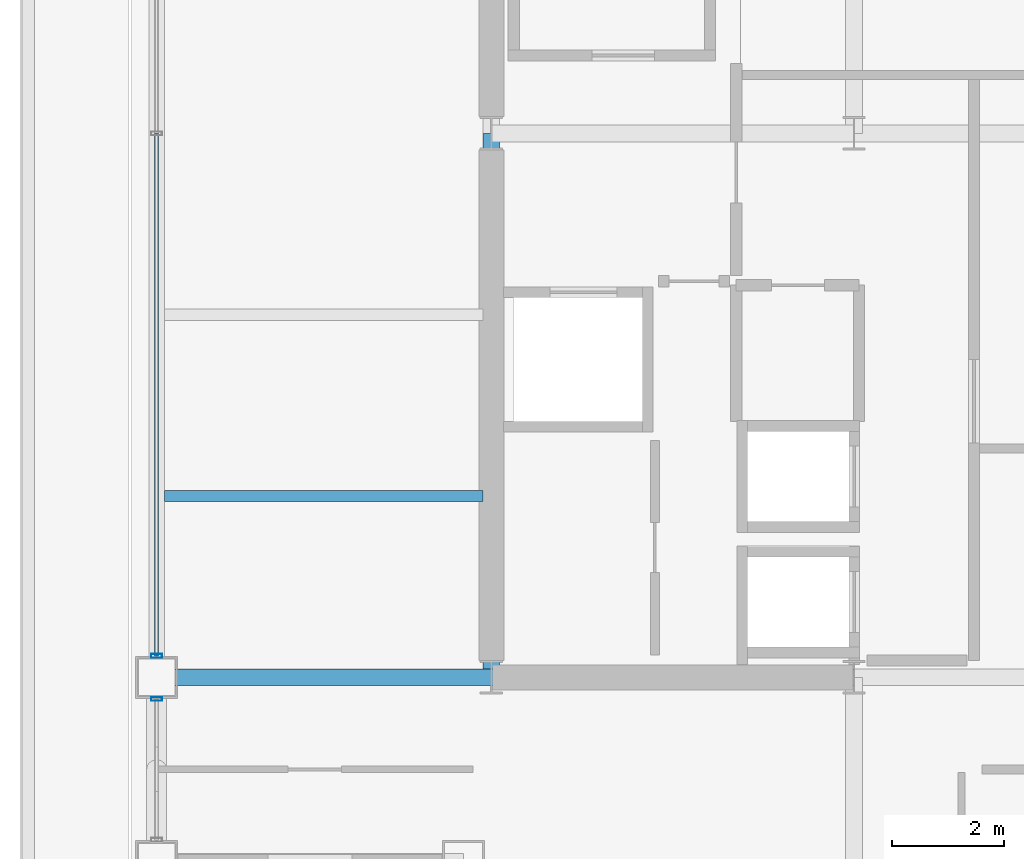
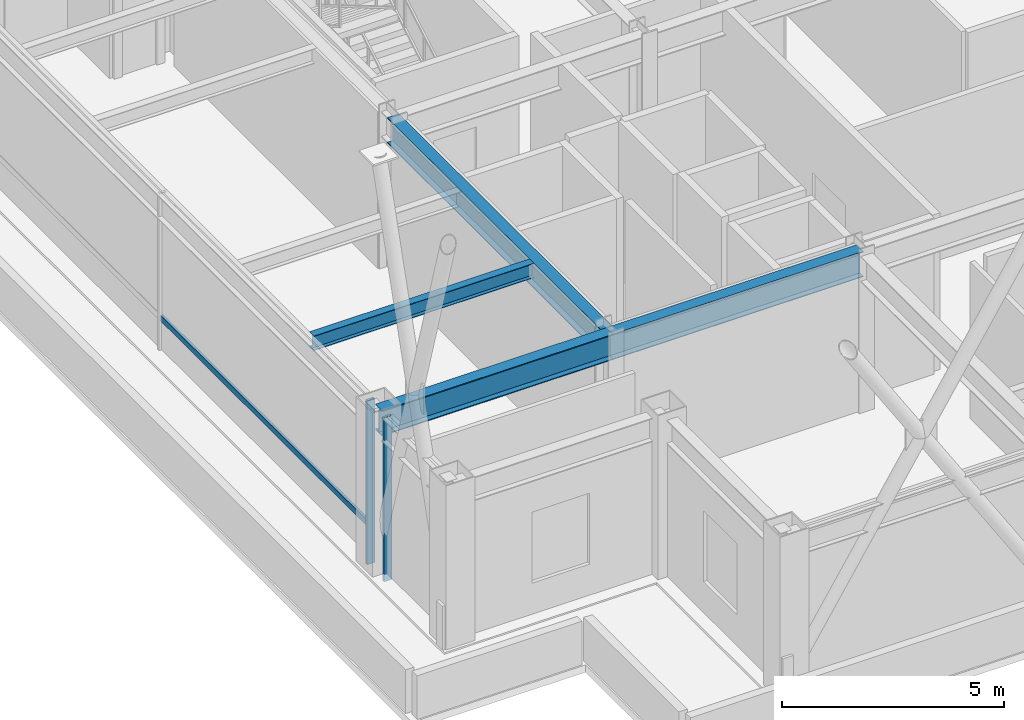
# One storey, part 4 of 24: 4 beams, 3 members, 2 elements without a shape of their own.
"""IFC4 building model written with IfcOpenShell, lengths in metres."""

from ifc_helpers import new_model, si_unit, direction, frame, origin, origin_2d, place, context, subcontext, project, spatial, hollow_rectangle, i_section, extrude, material, layer, layer_set, material_profile, profile_set, type_object, element, aggregate, save


model = new_model("IFC4")

# Units and contexts
model_context = context("Model", 3, precision=1e-05, world=origin(), true_north=direction((0.0, 1.0)))
body_context = subcontext(model_context, "Body", "Model", "MODEL_VIEW")
ifc_project = project(units=[si_unit("LENGTHUNIT", "METRE"), si_unit("AREAUNIT", "SQUARE_METRE"), si_unit("VOLUMEUNIT", "CUBIC_METRE"), si_unit("PLANEANGLEUNIT", "RADIAN"), si_unit("MASSUNIT", "GRAM", prefix="KILO")], contexts=[model_context])

# Site, building, storey
site_placement = place(None, origin())
site = spatial("IfcSite", under=ifc_project, at=site_placement, CompositionType="ELEMENT")
building_placement = place(site_placement, origin())
building = spatial("IfcBuilding", under=site, at=building_placement, Name="Brelmoor Portico Tower", CompositionType="ELEMENT")
storey_placement = place(building_placement, frame((0.0, 0.0, 150.60009765625)))
storey = spatial("IfcBuildingStorey", under=building, at=storey_placement, Name="L39", CompositionType="ELEMENT", Elevation=150.60009765625)

# Beams
ifc_material_1 = material(Name="Steel Q355B", Category="steel")
ifc_material_profile_1 = material_profile(ifc_material_1, i_section(OverallWidth=0.199951171875, OverallDepth=0.39990234375, WebThickness=0.008056640625, FlangeThickness=0.012939453125, at=origin_2d()), Name="HN 400x200x8x13")
ifc_profile_set_1 = profile_set([ifc_material_profile_1], Name="Steel Q355B")
beam_type_1 = type_object("IfcBeamType", Name="BM-JS-400", PredefinedType="JOIST", material=ifc_profile_set_1)
beam_1_placement = place(storey_placement, frame((-20.409912109375, -6.5, 4.099853515625), z_axis=(1.0, 0.0, 0.0), x_axis=(0.0, 1.0, 0.0)))
element("IfcBeam", 1, at=beam_1_placement, inside=storey, type_object=beam_type_1, Name="L39 Secondary Wing Joist JS-W03", PredefinedType="JOIST", context=body_context, shape_type="SweptSolid", body=[
    extrude(i_section(OverallWidth=0.199951171875, OverallDepth=0.39990234375, WebThickness=0.008056640625, FlangeThickness=0.012939453125, at=origin_2d()), origin(), (0.0, 0.0, 1.0), 5.7099609375),
])
ifc_material_profile_2 = material_profile(ifc_material_1, i_section(OverallWidth=0.300048828125, OverallDepth=0.699951171875, WebThickness=0.012939453125, FlangeThickness=0.02392578125, at=origin_2d()), Name="HN 700x300x13x24")
ifc_profile_set_2 = profile_set([ifc_material_profile_2], Name="Steel Q355B")
beam_type_2 = type_object("IfcBeamType", Name="BM-PG-700", PredefinedType="BEAM", material=ifc_profile_set_2)
beam_2_placement = place(storey_placement, frame((-14.550048828125, -9.75, 3.949951171875), z_axis=(0.0, 1.0, 0.0), x_axis=(-1.0, 0.0, 0.0)))
element("IfcBeam", 2, at=beam_2_placement, inside=storey, type_object=beam_type_2, Name="L39 Primary Floor Girder PG-01", PredefinedType="BEAM", context=body_context, shape_type="SweptSolid", body=[
    extrude(i_section(OverallWidth=0.300048828125, OverallDepth=0.699951171875, WebThickness=0.012939453125, FlangeThickness=0.02392578125, at=origin_2d()), origin(), (0.0, 0.0, 1.0), 9.75),
])
beam_3_placement = place(storey_placement, frame((-20.550048828125, -9.75, 3.949951171875), z_axis=(1.0, 0.0, 0.0), x_axis=(0.0, 1.0, 0.0)))
element("IfcBeam", 3, at=beam_3_placement, inside=storey, type_object=beam_type_2, Name="L39 Primary Floor Girder PG-10", PredefinedType="BEAM", context=body_context, shape_type="SweptSolid", body=[
    extrude(i_section(OverallWidth=0.300048828125, OverallDepth=0.699951171875, WebThickness=0.012939453125, FlangeThickness=0.02392578125, at=origin_2d()), origin(), (0.0, 0.0, 1.0), 6.0),
])
beam_4_placement = place(storey_placement, frame((-14.550048828125, -9.75, 3.949951171875), z_axis=(1.0, 0.0, 0.0), x_axis=(0.0, 1.0, 0.0)))
element("IfcBeam", 4, at=beam_4_placement, inside=storey, type_object=beam_type_2, Name="L39 Primary Floor Girder PG-11", PredefinedType="BEAM", context=body_context, shape_type="SweptSolid", body=[
    extrude(i_section(OverallWidth=0.300048828125, OverallDepth=0.699951171875, WebThickness=0.012939453125, FlangeThickness=0.02392578125, at=origin_2d()), origin(), (0.0, 0.0, 1.0), 6.5),
])

# Curtain wall, member
ifc_material_2 = material(Name="Anodised Aluminium Alloy 6063-T6", Category="aluminium")
ifc_layer_1 = layer(ifc_material_2, 0.179931640625)
ifc_layer_set_1 = layer_set([ifc_layer_1], Name="Anodised Aluminium Alloy 6063-T6")
curtain_wall_type_1 = type_object("IfcCurtainWallType", Name="CW-SKYLOBBY-XB", PredefinedType="NOTDEFINED", material=ifc_layer_set_1)
curtain_wall_1_placement = place(storey_placement, origin())
curtain_wall_1 = element("IfcCurtainWall", 5, at=curtain_wall_1_placement, inside=storey, type_object=curtain_wall_type_1, Name="L39 Curtain Wall CW-L39-03-1", PredefinedType="NOTDEFINED")
ifc_material_profile_3 = material_profile(ifc_material_2, hollow_rectangle(XDim=0.070068359375, YDim=0.199951171875, WallThickness=0.00439453125, at=origin_2d()), Name="ALU MULLION 70x200")
ifc_profile_set_3 = profile_set([ifc_material_profile_3], Name="Anodised Aluminium Alloy 6063-T6")
member_type_1 = type_object("IfcMemberType", Name="MB-CW-MULL-200", PredefinedType="MULLION", material=ifc_profile_set_3)
member_1_placement = place(storey_placement, frame((-20.550048828125, -10.135009765625, -0.2001953125), z_axis=(0.0, 0.0, 1.0), x_axis=(0.0, 1.0, 0.0)))
member_1 = element("IfcMember", 6, at=member_1_placement, type_object=member_type_1, Name="CW-L39-03-1 Mullion 01", PredefinedType="MULLION", context=body_context, shape_type="SweptSolid", body=[
    extrude(hollow_rectangle(XDim=0.070068359375, YDim=0.199951171875, WallThickness=0.00439453125, at=origin_2d()), origin(), (0.0, 0.0, 1.0), 4.5),
])
aggregate(curtain_wall_1, [member_1])

# Curtain wall, members
ifc_layer_2 = layer(ifc_material_2, 0.179931640625)
ifc_layer_set_2 = layer_set([ifc_layer_2], Name="Anodised Aluminium Alloy 6063-T6")
curtain_wall_type_2 = type_object("IfcCurtainWallType", Name="CW-SKYLOBBY", PredefinedType="NOTDEFINED", material=ifc_layer_set_2)
curtain_wall_2_placement = place(storey_placement, origin())
curtain_wall_2 = element("IfcCurtainWall", 7, at=curtain_wall_2_placement, inside=storey, type_object=curtain_wall_type_2, Name="L39 Curtain Wall CW-L39-03-2", PredefinedType="NOTDEFINED")
member_2_placement = place(storey_placement, frame((-20.550048828125, -9.364990234375, -0.2001953125), z_axis=(0.0, 0.0, 1.0), x_axis=(0.0, 1.0, 0.0)))
member_2 = element("IfcMember", 8, at=member_2_placement, type_object=member_type_1, Name="CW-L39-03-2 Mullion 00", PredefinedType="MULLION", context=body_context, shape_type="SweptSolid", body=[
    extrude(hollow_rectangle(XDim=0.070068359375, YDim=0.199951171875, WallThickness=0.00439453125, at=origin_2d()), origin(), (0.0, 0.0, 1.0), 4.5),
])
ifc_material_profile_4 = material_profile(ifc_material_2, hollow_rectangle(XDim=0.070068359375, YDim=0.159912109375, WallThickness=0.00390625, at=origin_2d()), Name="ALU TRANSOM 70x160")
ifc_profile_set_4 = profile_set([ifc_material_profile_4], Name="Anodised Aluminium Alloy 6063-T6")
member_type_2 = type_object("IfcMemberType", Name="MB-CW-TRAN-160", PredefinedType="USERDEFINED", material=ifc_profile_set_4)
member_3_placement = place(storey_placement, frame((-20.550048828125, -9.364990234375, 0.849853515625), z_axis=(0.0, 1.0, 0.0), x_axis=(-1.0, 0.0, 0.0)))
member_3 = element("IfcMember", 9, at=member_3_placement, type_object=member_type_2, Name="CW-L39-03-2 Transom 1-00", ObjectType="TRANSOM", PredefinedType="USERDEFINED", context=body_context, shape_type="SweptSolid", body=[
    extrude(hollow_rectangle(XDim=0.070068359375, YDim=0.159912109375, WallThickness=0.00390625, at=origin_2d()), origin(), (0.0, 0.0, 1.0), 9.364990234375),
])
aggregate(curtain_wall_2, [member_2, member_3])

save(model, "model.ifc")
